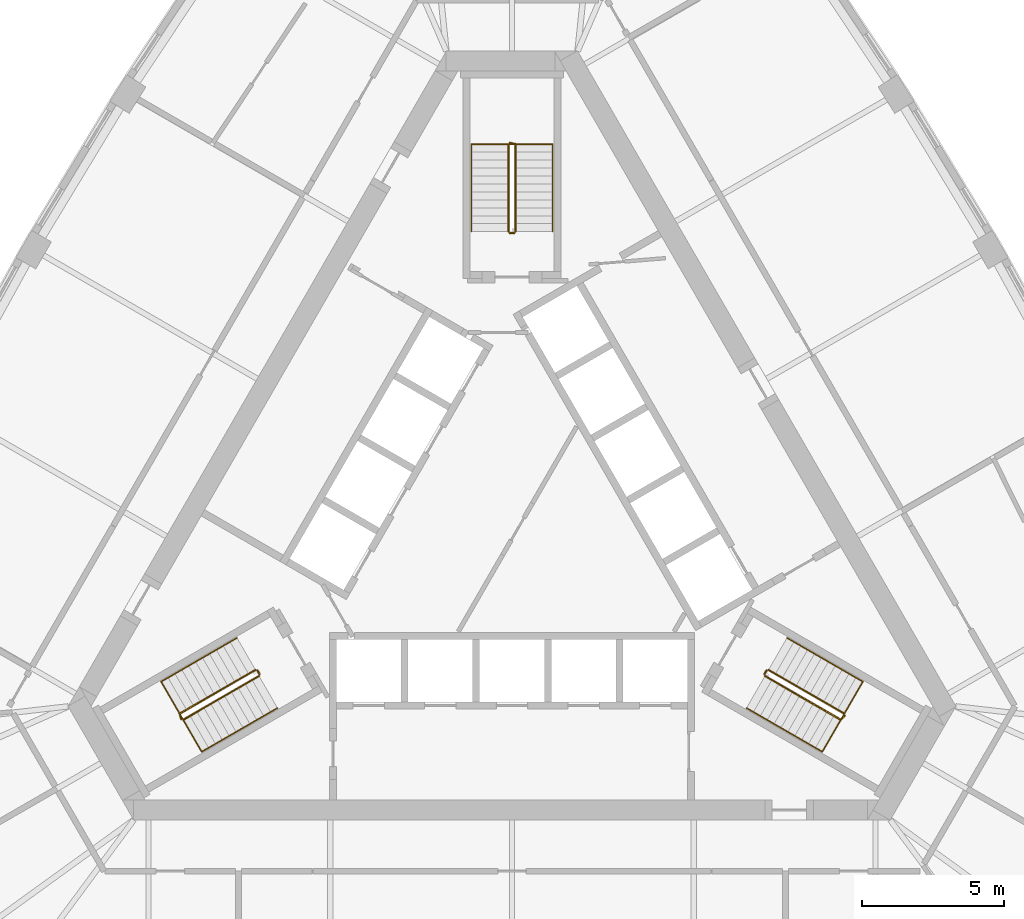
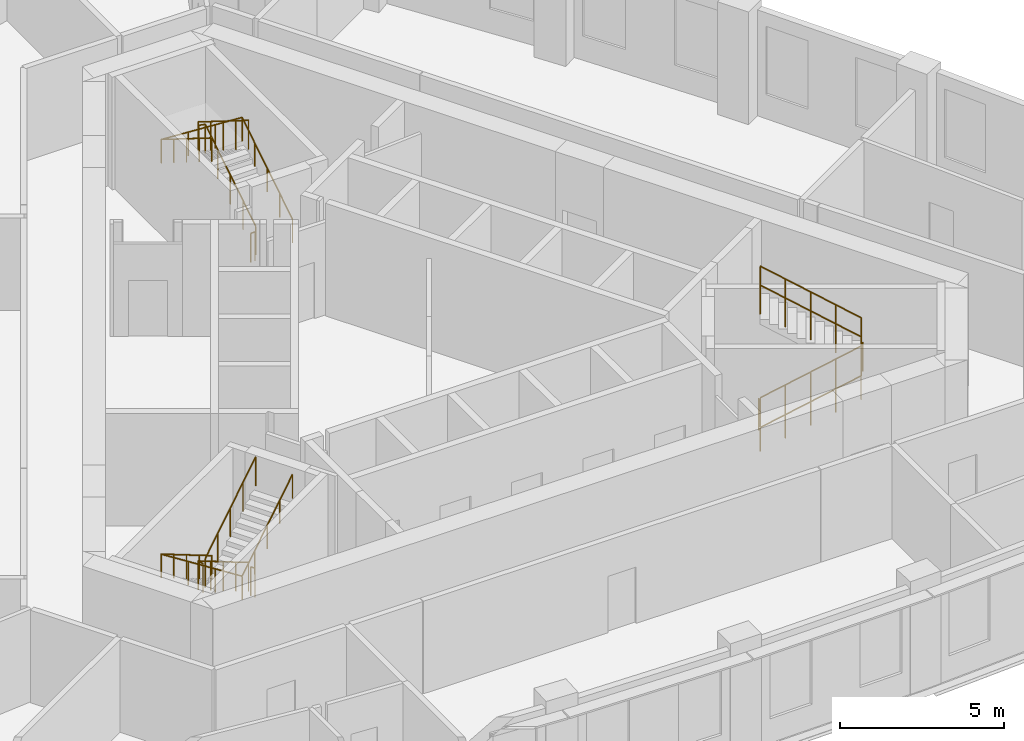
# One storey, part 10 of 10: 12 railings.
"""IFC4 building model written with IfcOpenShell, lengths in metres."""

from ifc_helpers import new_model, si_unit, direction, frame, origin, origin_2d, place, context, subcontext, project, spatial, circle, extrude, material, type_object, element, save


model = new_model("IFC4")

# Units and contexts
model_context = context("Model", 3, precision=1e-05, world=origin(), true_north=direction((0.0, 1.0)))
body_context = subcontext(model_context, "Body", "Model", "MODEL_VIEW")
ifc_project = project(units=[si_unit("LENGTHUNIT", "METRE"), si_unit("AREAUNIT", "SQUARE_METRE"), si_unit("VOLUMEUNIT", "CUBIC_METRE"), si_unit("PLANEANGLEUNIT", "RADIAN"), si_unit("MASSUNIT", "GRAM", prefix="KILO")], contexts=[model_context])

# Site, building, storey
site_placement = place(None, origin())
site = spatial("IfcSite", under=ifc_project, at=site_placement, CompositionType="ELEMENT")
building_placement = place(site_placement, origin())
building = spatial("IfcBuilding", under=site, at=building_placement, Name="Mestral Congress Tower", CompositionType="ELEMENT")
storey_placement = place(building_placement, frame((0.0, 0.0, 239.39990234375)))
storey = spatial("IfcBuildingStorey", under=building, at=storey_placement, Name="L56", CompositionType="ELEMENT", Elevation=239.39990234375)

# Railings
ifc_material_1 = material(Name="Steel balustrade", Category="steel")
railing_type_1 = type_object("IfcRailingType", Name="Stair guard 1100", PredefinedType="GUARDRAIL", material=ifc_material_1)
railing_1_placement = place(storey_placement, frame((8.90087890625, -5.283203125, 0.175048828125)))
element("IfcRailing", 1, at=railing_1_placement, inside=storey, type_object=railing_type_1, Name="L56 ST1 stair guard 1", PredefinedType="GUARDRAIL", context=body_context, shape_type="SweptSolid", body=[
    extrude(circle(Radius=0.02392578125, at=origin_2d()), frame((0.0, 0.0, 1.076171875), z_axis=(0.734364028329, -0.424015404183, 0.530019255228), x_axis=(0.500026652407, 0.866010015463, 0.0)), (0.0, 0.0, 1.0), 3.632080078125),
    extrude(circle(Radius=0.02392578125, at=origin_2d()), frame((2.667236328125, -1.5400390625, 3.0009765625), z_axis=(0.695164929852, 0.718850276695, 0.0), x_axis=(-0.718850276695, 0.695164929852, 0.0)), (0.0, 0.0, 1.0), 0.2060546875),
    extrude(circle(Radius=0.02099609375, at=origin_2d()), origin(), (0.0, 0.0, 1.0), 1.052001953125),
    extrude(circle(Radius=0.02099609375, at=origin_2d()), frame((0.666748046875, -0.385009765625, 0.481201171875)), (0.0, 0.0, 1.0), 1.052001953125),
    extrude(circle(Radius=0.02099609375, at=origin_2d()), frame((1.33349609375, -0.77001953125, 0.96240234375)), (0.0, 0.0, 1.0), 1.052001953125),
    extrude(circle(Radius=0.02099609375, at=origin_2d()), frame((2.00048828125, -1.155029296875, 1.44384765625)), (0.0, 0.0, 1.0), 1.052001953125),
    extrude(circle(Radius=0.02099609375, at=origin_2d()), frame((2.667236328125, -1.5400390625, 1.925048828125)), (0.0, 0.0, 1.0), 1.052001953125),
    extrude(circle(Radius=0.02099609375, at=origin_2d()), frame((2.810546875, -1.391845703125, 1.925048828125)), (0.0, 0.0, 1.0), 1.052001953125),
])
railing_2_placement = place(storey_placement, frame((11.693115234375, -6.606689453125, 2.275146484375)))
element("IfcRailing", 2, at=railing_2_placement, inside=storey, type_object=railing_type_1, Name="L56 ST1 stair guard 2", PredefinedType="GUARDRAIL", context=body_context, shape_type="SweptSolid", body=[
    extrude(circle(Radius=0.02392578125, at=origin_2d()), frame((0.0, 0.0, 1.076171875), z_axis=(-0.734364028329, 0.424015404183, 0.530019255228), x_axis=(-0.500026652407, -0.866010015463, 0.0)), (0.0, 0.0, 1.0), 3.632080078125),
    extrude(circle(Radius=0.02099609375, at=origin_2d()), origin(), (0.0, 0.0, 1.0), 1.052001953125),
    extrude(circle(Radius=0.02099609375, at=origin_2d()), frame((-0.666748046875, 0.385009765625, 0.481201171875)), (0.0, 0.0, 1.0), 1.052001953125),
    extrude(circle(Radius=0.02099609375, at=origin_2d()), frame((-1.33349609375, 0.77001953125, 0.96240234375)), (0.0, 0.0, 1.0), 1.052001953125),
    extrude(circle(Radius=0.02099609375, at=origin_2d()), frame((-2.00048828125, 1.155029296875, 1.44384765625)), (0.0, 0.0, 1.0), 1.052001953125),
    extrude(circle(Radius=0.02099609375, at=origin_2d()), frame((-2.667236328125, 1.5400390625, 1.925048828125)), (0.0, 0.0, 1.0), 1.052001953125),
])
railing_3_placement = place(storey_placement, frame((8.882568359375, -5.21484375, 0.0)))
element("IfcRailing", 3, at=railing_3_placement, inside=storey, type_object=railing_type_1, Name="L56 ST1 stair guard 3", PredefinedType="GUARDRAIL", context=body_context, shape_type="SweptSolid", body=[
    extrude(circle(Radius=0.02392578125, at=origin_2d()), frame((0.0, 0.0, 1.076171875), z_axis=(0.499816412211, 0.866131372301, 0.0), x_axis=(-0.866131372301, 0.499816412211, 0.0)), (0.0, 0.0, 1.0), 0.14990234375),
    extrude(circle(Radius=0.02099609375, at=origin_2d()), origin(), (0.0, 0.0, 1.0), 1.052001953125),
    extrude(circle(Radius=0.02099609375, at=origin_2d()), frame((0.074951171875, 0.1298828125, 0.0)), (0.0, 0.0, 1.0), 1.052001953125),
])
railing_4_placement = place(storey_placement, frame((0.125, 10.35009765625, 0.175048828125)))
element("IfcRailing", 4, at=railing_4_placement, inside=storey, type_object=railing_type_1, Name="L56 ST2 stair guard 1", PredefinedType="GUARDRAIL", context=body_context, shape_type="SweptSolid", body=[
    extrude(circle(Radius=0.02392578125, at=origin_2d()), frame((0.0, 0.0, 1.076171875), z_axis=(0.0, 0.847979421464, 0.530029150871), x_axis=(-1.0, 0.0, 0.0)), (0.0, 0.0, 1.0), 3.632080078125),
    extrude(circle(Radius=0.02392578125, at=origin_2d()), frame((0.0, 3.079833984375, 3.0009765625), z_axis=(-0.970072785993, 0.242814311512, 0.0), x_axis=(-0.242814311512, -0.970072785993, 0.0)), (0.0, 0.0, 1.0), 0.2060546875),
    extrude(circle(Radius=0.02099609375, at=origin_2d()), origin(), (0.0, 0.0, 1.0), 1.052001953125),
    extrude(circle(Radius=0.02099609375, at=origin_2d()), frame((0.0, 0.77001953125, 0.481201171875)), (0.0, 0.0, 1.0), 1.052001953125),
    extrude(circle(Radius=0.02099609375, at=origin_2d()), frame((0.0, 1.5400390625, 0.96240234375)), (0.0, 0.0, 1.0), 1.052001953125),
    extrude(circle(Radius=0.02099609375, at=origin_2d()), frame((0.0, 2.309814453125, 1.44384765625)), (0.0, 0.0, 1.0), 1.052001953125),
    extrude(circle(Radius=0.02099609375, at=origin_2d()), frame((0.0, 3.079833984375, 1.925048828125)), (0.0, 0.0, 1.0), 1.052001953125),
    extrude(circle(Radius=0.02099609375, at=origin_2d()), frame((-0.199951171875, 3.1298828125, 1.925048828125)), (0.0, 0.0, 1.0), 1.052001953125),
])
railing_5_placement = place(storey_placement, frame((-0.125, 13.429931640625, 2.275146484375)))
element("IfcRailing", 5, at=railing_5_placement, inside=storey, type_object=railing_type_1, Name="L56 ST2 stair guard 2", PredefinedType="GUARDRAIL", context=body_context, shape_type="SweptSolid", body=[
    extrude(circle(Radius=0.02392578125, at=origin_2d()), frame((0.0, 0.0, 1.076171875), z_axis=(0.0, -0.847979421464, 0.530029150871), x_axis=(1.0, 0.0, 0.0)), (0.0, 0.0, 1.0), 3.632080078125),
    extrude(circle(Radius=0.02099609375, at=origin_2d()), origin(), (0.0, 0.0, 1.0), 1.052001953125),
    extrude(circle(Radius=0.02099609375, at=origin_2d()), frame((0.0, -0.77001953125, 0.481201171875)), (0.0, 0.0, 1.0), 1.052001953125),
    extrude(circle(Radius=0.02099609375, at=origin_2d()), frame((0.0, -1.5400390625, 0.96240234375)), (0.0, 0.0, 1.0), 1.052001953125),
    extrude(circle(Radius=0.02099609375, at=origin_2d()), frame((0.0, -2.309814453125, 1.44384765625)), (0.0, 0.0, 1.0), 1.052001953125),
    extrude(circle(Radius=0.02099609375, at=origin_2d()), frame((0.0, -3.079833984375, 1.925048828125)), (0.0, 0.0, 1.0), 1.052001953125),
])
railing_6_placement = place(storey_placement, frame((0.074951171875, 10.300048828125, 0.0)))
element("IfcRailing", 6, at=railing_6_placement, inside=storey, type_object=railing_type_1, Name="L56 ST2 stair guard 3", PredefinedType="GUARDRAIL", context=body_context, shape_type="SweptSolid", body=[
    extrude(circle(Radius=0.02392578125, at=origin_2d()), frame((0.0, 0.0, 1.076171875), z_axis=(-1.0, 0.0, 0.0), x_axis=(0.0, -1.0, 0.0)), (0.0, 0.0, 1.0), 0.14990234375),
    extrude(circle(Radius=0.02099609375, at=origin_2d()), origin(), (0.0, 0.0, 1.0), 1.052001953125),
    extrude(circle(Radius=0.02099609375, at=origin_2d()), frame((-0.14990234375, 0.0, 0.0)), (0.0, 0.0, 1.0), 1.052001953125),
])
railing_7_placement = place(storey_placement, frame((-9.02587890625, -5.066650390625, 0.175048828125)))
element("IfcRailing", 7, at=railing_7_placement, inside=storey, type_object=railing_type_1, Name="L56 ST3 stair guard 1", PredefinedType="GUARDRAIL", context=body_context, shape_type="SweptSolid", body=[
    extrude(circle(Radius=0.02392578125, at=origin_2d()), frame((0.0, 0.0, 1.076171875), z_axis=(-0.734364028329, -0.424015404183, 0.530019255228), x_axis=(0.500026652407, -0.866010015463, 0.0)), (0.0, 0.0, 1.0), 3.632080078125),
    extrude(circle(Radius=0.02392578125, at=origin_2d()), frame((-2.667236328125, -1.5400390625, 3.0009765625), z_axis=(0.274721127897, -0.961523947641, 0.0), x_axis=(0.961523947641, 0.274721127897, 0.0)), (0.0, 0.0, 1.0), 0.2060546875),
    extrude(circle(Radius=0.02099609375, at=origin_2d()), origin(), (0.0, 0.0, 1.0), 1.052001953125),
    extrude(circle(Radius=0.02099609375, at=origin_2d()), frame((-0.666748046875, -0.385009765625, 0.481201171875)), (0.0, 0.0, 1.0), 1.052001953125),
    extrude(circle(Radius=0.02099609375, at=origin_2d()), frame((-1.33349609375, -0.77001953125, 0.96240234375)), (0.0, 0.0, 1.0), 1.052001953125),
    extrude(circle(Radius=0.02099609375, at=origin_2d()), frame((-2.00048828125, -1.155029296875, 1.44384765625)), (0.0, 0.0, 1.0), 1.052001953125),
    extrude(circle(Radius=0.02099609375, at=origin_2d()), frame((-2.667236328125, -1.5400390625, 1.925048828125)), (0.0, 0.0, 1.0), 1.052001953125),
    extrude(circle(Radius=0.02099609375, at=origin_2d()), frame((-2.610595703125, -1.73828125, 1.925048828125)), (0.0, 0.0, 1.0), 1.052001953125),
])
railing_8_placement = place(storey_placement, frame((-11.568115234375, -6.8232421875, 2.275146484375)))
element("IfcRailing", 8, at=railing_8_placement, inside=storey, type_object=railing_type_1, Name="L56 ST3 stair guard 2", PredefinedType="GUARDRAIL", context=body_context, shape_type="SweptSolid", body=[
    extrude(circle(Radius=0.02392578125, at=origin_2d()), frame((0.0, 0.0, 1.076171875), z_axis=(0.734364028329, 0.424015404183, 0.530019255228), x_axis=(-0.500026652407, 0.866010015463, 0.0)), (0.0, 0.0, 1.0), 3.632080078125),
    extrude(circle(Radius=0.02099609375, at=origin_2d()), origin(), (0.0, 0.0, 1.0), 1.052001953125),
    extrude(circle(Radius=0.02099609375, at=origin_2d()), frame((0.666748046875, 0.385009765625, 0.481201171875)), (0.0, 0.0, 1.0), 1.052001953125),
    extrude(circle(Radius=0.02099609375, at=origin_2d()), frame((1.33349609375, 0.77001953125, 0.96240234375)), (0.0, 0.0, 1.0), 1.052001953125),
    extrude(circle(Radius=0.02099609375, at=origin_2d()), frame((2.00048828125, 1.155029296875, 1.44384765625)), (0.0, 0.0, 1.0), 1.052001953125),
    extrude(circle(Radius=0.02099609375, at=origin_2d()), frame((2.667236328125, 1.5400390625, 1.925048828125)), (0.0, 0.0, 1.0), 1.052001953125),
])
railing_9_placement = place(storey_placement, frame((-8.95751953125, -5.0849609375, 0.0)))
element("IfcRailing", 9, at=railing_9_placement, inside=storey, type_object=railing_type_1, Name="L56 ST3 stair guard 3", PredefinedType="GUARDRAIL", context=body_context, shape_type="SweptSolid", body=[
    extrude(circle(Radius=0.02392578125, at=origin_2d()), frame((0.0, 0.0, 1.076171875), z_axis=(0.499816412211, -0.866131372301, 0.0), x_axis=(0.866131372301, 0.499816412211, 0.0)), (0.0, 0.0, 1.0), 0.14990234375),
    extrude(circle(Radius=0.02099609375, at=origin_2d()), origin(), (0.0, 0.0, 1.0), 1.052001953125),
    extrude(circle(Radius=0.02099609375, at=origin_2d()), frame((0.074951171875, -0.1298828125, 0.0)), (0.0, 0.0, 1.0), 1.052001953125),
])
ifc_material_2 = material(Name="Steel handrail", Category="steel")
railing_type_2 = type_object("IfcRailingType", Name="Stair handrail 900", PredefinedType="HANDRAIL", material=ifc_material_2)
railing_10_placement = place(storey_placement, frame((8.2509765625, -6.4091796875, 0.175048828125)))
element("IfcRailing", 10, at=railing_10_placement, inside=storey, type_object=railing_type_2, Name="L56 ST1 stair handrail 1", PredefinedType="HANDRAIL", context=body_context, shape_type="SweptSolid", body=[
    extrude(circle(Radius=0.02392578125, at=origin_2d()), frame((0.0, 0.0, 0.8759765625), z_axis=(0.734384958227, -0.423960268333, 0.530034361155), x_axis=(0.499967199496, 0.866044340336, 0.0)), (0.0, 0.0, 1.0), 3.6318359375),
    extrude(circle(Radius=0.02392578125, at=origin_2d()), frame((2.667236328125, -1.539794921875, 2.80078125), z_axis=(0.499095769026, 0.864375386171, 0.061307463833), x_axis=(-0.866004402611, 0.500036373335, 0.0)), (0.0, 0.0, 1.0), 2.855224609375),
    extrude(circle(Radius=0.02392578125, at=origin_2d()), frame((4.09228515625, 0.92822265625, 2.97607421875), z_axis=(-0.734394994316, 0.423994474112, 0.52999309264), x_axis=(-0.499992328818, -0.866029832698, 0.0)), (0.0, 0.0, 1.0), 3.63232421875),
    extrude(circle(Radius=0.02099609375, at=origin_2d()), origin(), (0.0, 0.0, 1.0), 0.851806640625),
    extrude(circle(Radius=0.02099609375, at=origin_2d()), frame((0.666748046875, -0.385009765625, 0.481201171875)), (0.0, 0.0, 1.0), 0.851806640625),
    extrude(circle(Radius=0.02099609375, at=origin_2d()), frame((1.33349609375, -0.77001953125, 0.96240234375)), (0.0, 0.0, 1.0), 0.851806640625),
    extrude(circle(Radius=0.02099609375, at=origin_2d()), frame((2.00048828125, -1.15478515625, 1.44384765625)), (0.0, 0.0, 1.0), 0.851806640625),
    extrude(circle(Radius=0.02099609375, at=origin_2d()), frame((2.667236328125, -1.539794921875, 1.925048828125)), (0.0, 0.0, 1.0), 0.851806640625),
    extrude(circle(Radius=0.02099609375, at=origin_2d()), frame((3.142333984375, -0.717041015625, 1.9833984375)), (0.0, 0.0, 1.0), 0.851806640625),
    extrude(circle(Radius=0.02099609375, at=origin_2d()), frame((3.6171875, 0.10546875, 2.041748046875)), (0.0, 0.0, 1.0), 0.851806640625),
    extrude(circle(Radius=0.02099609375, at=origin_2d()), frame((4.09228515625, 0.92822265625, 2.10009765625)), (0.0, 0.0, 1.0), 0.851806640625),
    extrude(circle(Radius=0.02099609375, at=origin_2d()), frame((3.42529296875, 1.313232421875, 2.581298828125)), (0.0, 0.0, 1.0), 0.851806640625),
    extrude(circle(Radius=0.02099609375, at=origin_2d()), frame((2.758544921875, 1.6982421875, 3.0625)), (0.0, 0.0, 1.0), 0.851806640625),
    extrude(circle(Radius=0.02099609375, at=origin_2d()), frame((2.091796875, 2.083251953125, 3.5439453125)), (0.0, 0.0, 1.0), 0.851806640625),
    extrude(circle(Radius=0.02099609375, at=origin_2d()), frame((1.4248046875, 2.46826171875, 4.025146484375)), (0.0, 0.0, 1.0), 0.851806640625),
])
railing_11_placement = place(storey_placement, frame((1.425048828125, 10.35009765625, 0.175048828125)))
element("IfcRailing", 11, at=railing_11_placement, inside=storey, type_object=railing_type_2, Name="L56 ST2 stair handrail 1", PredefinedType="HANDRAIL", context=body_context, shape_type="SweptSolid", body=[
    extrude(circle(Radius=0.02392578125, at=origin_2d()), frame((0.0, 0.0, 0.8759765625), z_axis=(0.0, 0.847979421464, 0.530029150871), x_axis=(-1.0, 0.0, 0.0)), (0.0, 0.0, 1.0), 3.632080078125),
    extrude(circle(Radius=0.02392578125, at=origin_2d()), frame((0.0, 3.079833984375, 2.80078125), z_axis=(-0.998119201106, 0.0, 0.061303021003), x_axis=(0.0, -1.0, 0.0)), (0.0, 0.0, 1.0), 2.85546875),
    extrude(circle(Radius=0.02392578125, at=origin_2d()), frame((-2.85009765625, 3.079833984375, 2.97607421875), z_axis=(0.0, -0.847979421464, 0.530029150871), x_axis=(1.0, 0.0, 0.0)), (0.0, 0.0, 1.0), 3.632080078125),
    extrude(circle(Radius=0.02099609375, at=origin_2d()), origin(), (0.0, 0.0, 1.0), 0.851806640625),
    extrude(circle(Radius=0.02099609375, at=origin_2d()), frame((0.0, 0.77001953125, 0.481201171875)), (0.0, 0.0, 1.0), 0.851806640625),
    extrude(circle(Radius=0.02099609375, at=origin_2d()), frame((0.0, 1.5400390625, 0.96240234375)), (0.0, 0.0, 1.0), 0.851806640625),
    extrude(circle(Radius=0.02099609375, at=origin_2d()), frame((0.0, 2.309814453125, 1.44384765625)), (0.0, 0.0, 1.0), 0.851806640625),
    extrude(circle(Radius=0.02099609375, at=origin_2d()), frame((0.0, 3.079833984375, 1.925048828125)), (0.0, 0.0, 1.0), 0.851806640625),
    extrude(circle(Radius=0.02099609375, at=origin_2d()), frame((-0.949951171875, 3.079833984375, 1.9833984375)), (0.0, 0.0, 1.0), 0.851806640625),
    extrude(circle(Radius=0.02099609375, at=origin_2d()), frame((-1.900146484375, 3.079833984375, 2.041748046875)), (0.0, 0.0, 1.0), 0.851806640625),
    extrude(circle(Radius=0.02099609375, at=origin_2d()), frame((-2.85009765625, 3.079833984375, 2.10009765625)), (0.0, 0.0, 1.0), 0.851806640625),
    extrude(circle(Radius=0.02099609375, at=origin_2d()), frame((-2.85009765625, 2.309814453125, 2.581298828125)), (0.0, 0.0, 1.0), 0.851806640625),
    extrude(circle(Radius=0.02099609375, at=origin_2d()), frame((-2.85009765625, 1.5400390625, 3.0625)), (0.0, 0.0, 1.0), 0.851806640625),
    extrude(circle(Radius=0.02099609375, at=origin_2d()), frame((-2.85009765625, 0.77001953125, 3.5439453125)), (0.0, 0.0, 1.0), 0.851806640625),
    extrude(circle(Radius=0.02099609375, at=origin_2d()), frame((-2.85009765625, 0.0, 4.025146484375)), (0.0, 0.0, 1.0), 0.851806640625),
])
railing_12_placement = place(storey_placement, frame((-9.67578125, -3.94091796875, 0.175048828125)))
element("IfcRailing", 12, at=railing_12_placement, inside=storey, type_object=railing_type_2, Name="L56 ST3 stair handrail 1", PredefinedType="HANDRAIL", context=body_context, shape_type="SweptSolid", body=[
    extrude(circle(Radius=0.02392578125, at=origin_2d()), frame((0.0, 0.0, 0.8759765625), z_axis=(-0.734394994316, -0.423994474112, 0.52999309264), x_axis=(0.499992328818, -0.866029832698, 0.0)), (0.0, 0.0, 1.0), 3.63232421875),
    extrude(circle(Radius=0.02392578125, at=origin_2d()), frame((-2.66748046875, -1.5400390625, 2.80078125), z_axis=(0.499095769026, -0.864375386171, 0.061307463833), x_axis=(0.866004402611, 0.500036373335, 0.0)), (0.0, 0.0, 1.0), 2.855224609375),
    extrude(circle(Radius=0.02392578125, at=origin_2d()), frame((-1.242431640625, -4.008056640625, 2.97607421875), z_axis=(0.734384958227, 0.423960268333, 0.530034361155), x_axis=(-0.499967199496, 0.866044340336, 0.0)), (0.0, 0.0, 1.0), 3.6318359375),
    extrude(circle(Radius=0.02099609375, at=origin_2d()), origin(), (0.0, 0.0, 1.0), 0.851806640625),
    extrude(circle(Radius=0.02099609375, at=origin_2d()), frame((-0.6669921875, -0.385009765625, 0.481201171875)), (0.0, 0.0, 1.0), 0.851806640625),
    extrude(circle(Radius=0.02099609375, at=origin_2d()), frame((-1.333740234375, -0.77001953125, 0.96240234375)), (0.0, 0.0, 1.0), 0.851806640625),
    extrude(circle(Radius=0.02099609375, at=origin_2d()), frame((-2.00048828125, -1.155029296875, 1.44384765625)), (0.0, 0.0, 1.0), 0.851806640625),
    extrude(circle(Radius=0.02099609375, at=origin_2d()), frame((-2.66748046875, -1.5400390625, 1.925048828125)), (0.0, 0.0, 1.0), 0.851806640625),
    extrude(circle(Radius=0.02099609375, at=origin_2d()), frame((-2.1923828125, -2.36279296875, 1.9833984375)), (0.0, 0.0, 1.0), 0.851806640625),
    extrude(circle(Radius=0.02099609375, at=origin_2d()), frame((-1.717529296875, -3.185302734375, 2.041748046875)), (0.0, 0.0, 1.0), 0.851806640625),
    extrude(circle(Radius=0.02099609375, at=origin_2d()), frame((-1.242431640625, -4.008056640625, 2.10009765625)), (0.0, 0.0, 1.0), 0.851806640625),
    extrude(circle(Radius=0.02099609375, at=origin_2d()), frame((-0.57568359375, -3.623046875, 2.581298828125)), (0.0, 0.0, 1.0), 0.851806640625),
    extrude(circle(Radius=0.02099609375, at=origin_2d()), frame((0.09130859375, -3.23828125, 3.0625)), (0.0, 0.0, 1.0), 0.851806640625),
    extrude(circle(Radius=0.02099609375, at=origin_2d()), frame((0.758056640625, -2.853271484375, 3.5439453125)), (0.0, 0.0, 1.0), 0.851806640625),
    extrude(circle(Radius=0.02099609375, at=origin_2d()), frame((1.4248046875, -2.46826171875, 4.025146484375)), (0.0, 0.0, 1.0), 0.851806640625),
])

save(model, "model.ifc")
